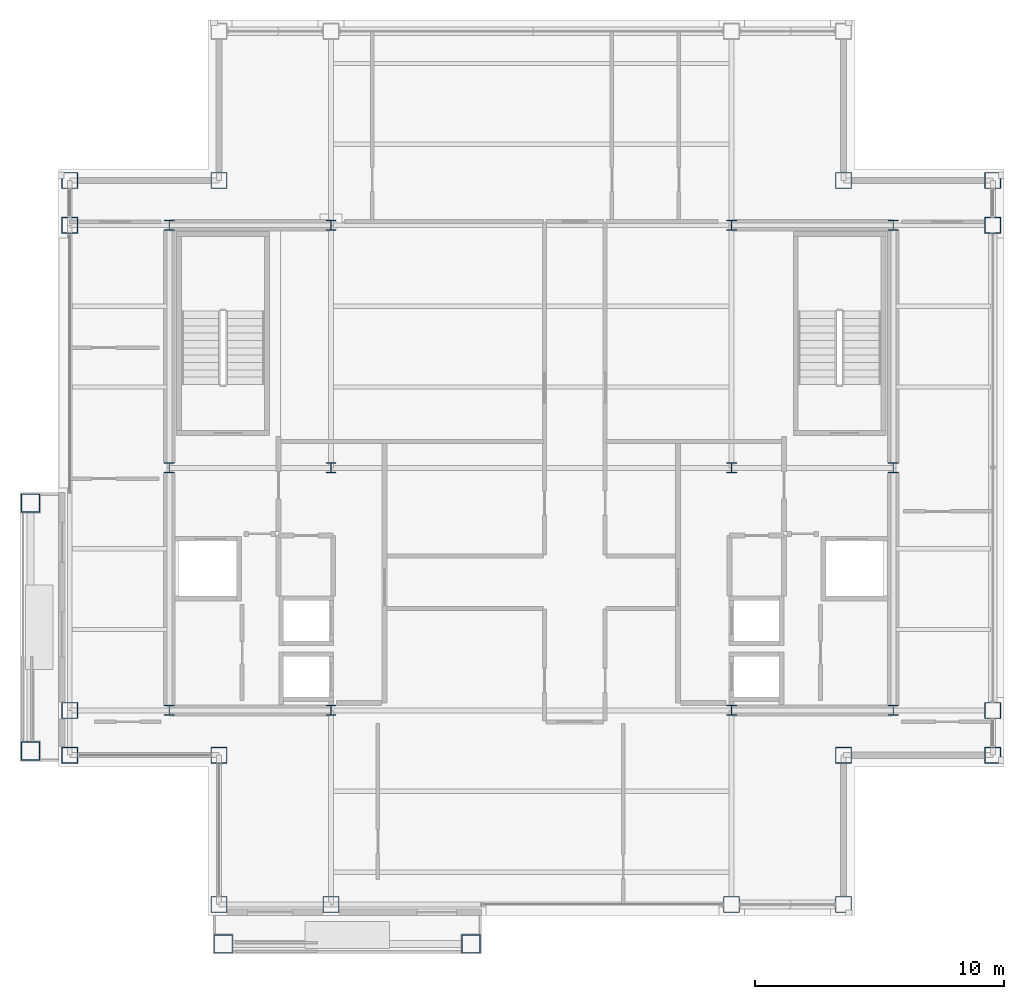
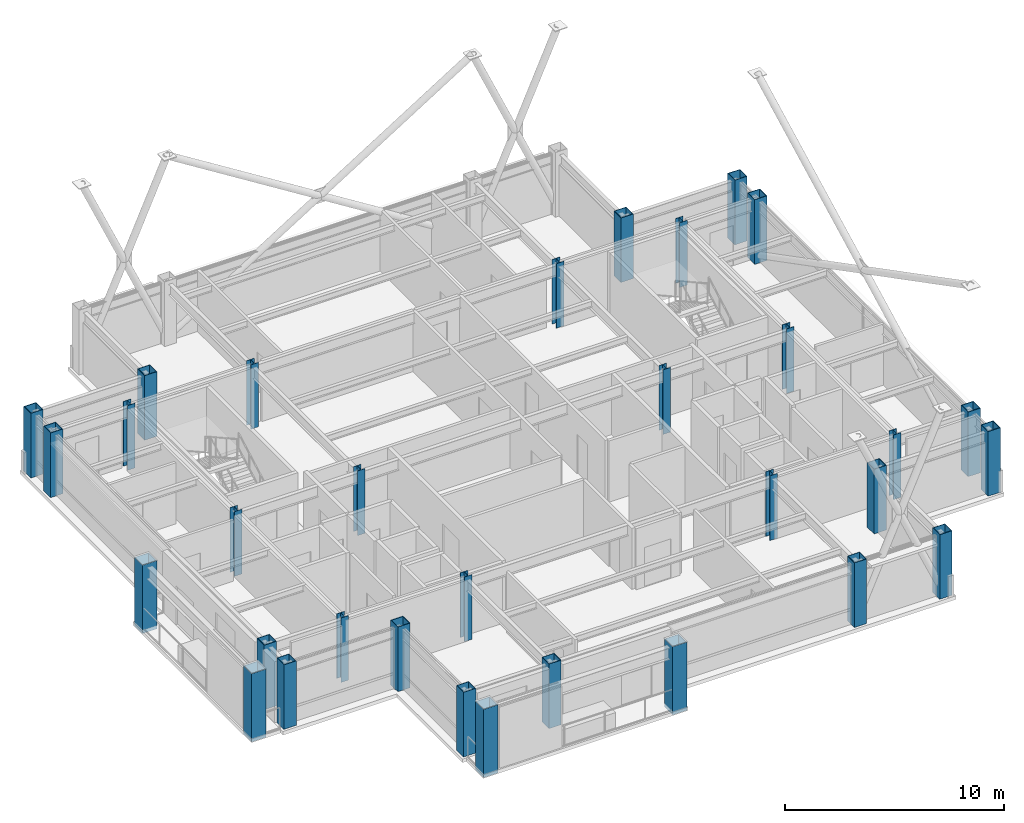
# One storey, part 1 of 26: 32 columns.
"""IFC4 building model written with IfcOpenShell, lengths in metres."""

from ifc_helpers import new_model, si_unit, direction, frame, origin, origin_2d, place, context, subcontext, project, spatial, hollow_rectangle, i_section, extrude, material, material_profile, profile_set, type_object, element, save


model = new_model("IFC4")

# Units and contexts
model_context = context("Model", 3, precision=1e-05, world=origin(), true_north=direction((0.0, 1.0)))
body_context = subcontext(model_context, "Body", "Model", "MODEL_VIEW")
ifc_project = project(units=[si_unit("LENGTHUNIT", "METRE"), si_unit("AREAUNIT", "SQUARE_METRE"), si_unit("VOLUMEUNIT", "CUBIC_METRE"), si_unit("PLANEANGLEUNIT", "RADIAN"), si_unit("MASSUNIT", "GRAM", prefix="KILO")], contexts=[model_context])

# Site, building, storey
site_placement = place(None, origin())
site = spatial("IfcSite", under=ifc_project, at=site_placement, CompositionType="ELEMENT")
building_placement = place(site_placement, origin())
building = spatial("IfcBuilding", under=site, at=building_placement, Name="Brelmoor Portico Tower", CompositionType="ELEMENT")
storey_placement = place(building_placement, frame((0.0, 0.0, 247.199951171875)))
storey = spatial("IfcBuildingStorey", under=building, at=storey_placement, Name="L65", CompositionType="ELEMENT", Elevation=247.199951171875)

# Columns
ifc_material = material(Name="Steel Q355B", Category="steel")
ifc_material_profile_1 = material_profile(ifc_material, hollow_rectangle(XDim=0.64990234375, YDim=0.64990234375, WallThickness=0.028076171875, at=origin_2d()), Name="BOX 650x650x28")
ifc_profile_set_1 = profile_set([ifc_material_profile_1], Name="Steel Q355B")
column_type_1 = type_object("IfcColumnType", Name="COL-MEGA-650", PredefinedType="COLUMN", material=ifc_profile_set_1)
for number, where, z_axis, x_axis, name in (
    (1, (-12.550048828125, -17.550048828125, 0.0), (0.0, 0.0, 1.0), (1.0, 0.0, 0.0), "L65 Perimeter Mega-Column PS01"),
    (2, (-8.050048828125, -17.550048828125, 0.0), (0.0, 0.0, 1.0), (1.0, 0.0, 0.0), "L65 Perimeter Mega-Column PS02"),
    (3, (8.050048828125, -17.550048828125, 0.0), (0.0, 0.0, 1.0), (1.0, 0.0, 0.0), "L65 Perimeter Mega-Column PS03"),
    (4, (12.550048828125, -17.550048828125, 0.0), (0.0, 0.0, 1.0), (1.0, 0.0, 0.0), "L65 Perimeter Mega-Column PS04"),
    (5, (-18.550048828125, -11.550048828125, 0.0), (0.0, 0.0, 1.0), (0.0, 1.0, 0.0), "L65 Perimeter Mega-Column PW01"),
    (6, (-18.550048828125, -9.75, 0.0), (0.0, 0.0, 1.0), (0.0, 1.0, 0.0), "L65 Perimeter Mega-Column PW02"),
    (7, (-18.550048828125, 9.75, 0.0), (0.0, 0.0, 1.0), (0.0, 1.0, 0.0), "L65 Perimeter Mega-Column PW03"),
    (8, (-18.550048828125, 11.550048828125, 0.0), (0.0, 0.0, 1.0), (0.0, 1.0, 0.0), "L65 Perimeter Mega-Column PW04"),
    (9, (18.550048828125, -11.550048828125, 0.0), (0.0, 0.0, 1.0), (0.0, 1.0, 0.0), "L65 Perimeter Mega-Column PE01"),
    (10, (18.550048828125, -9.75, 0.0), (0.0, 0.0, 1.0), (0.0, 1.0, 0.0), "L65 Perimeter Mega-Column PE02"),
    (11, (18.550048828125, 9.75, 0.0), (0.0, 0.0, 1.0), (0.0, 1.0, 0.0), "L65 Perimeter Mega-Column PE03"),
    (12, (18.550048828125, 11.550048828125, 0.0), (0.0, 0.0, 1.0), (0.0, 1.0, 0.0), "L65 Perimeter Mega-Column PE04"),
    (13, (-12.550048828125, 11.550048828125, 0.0), (0.0, 0.0, 1.0), (1.0, 0.0, 0.0), "L65 Perimeter Mega-Column PC-NW"),
    (14, (12.550048828125, 11.550048828125, 0.0), (0.0, 0.0, 1.0), (1.0, 0.0, 0.0), "L65 Perimeter Mega-Column PC-NE"),
    (15, (12.550048828125, -11.550048828125, 0.0), (0.0, 0.0, 1.0), (1.0, 0.0, 0.0), "L65 Perimeter Mega-Column PC-SE"),
    (16, (-12.550048828125, -11.550048828125, 0.0), (0.0, 0.0, 1.0), (1.0, 0.0, 0.0), "L65 Perimeter Mega-Column PC-SW"),
):
    element("IfcColumn", number, at=place(storey_placement, frame(where, z_axis=z_axis, x_axis=x_axis)), inside=storey, type_object=column_type_1, Name=name, PredefinedType="COLUMN", context=body_context, shape_type="SweptSolid", body=[
        extrude(hollow_rectangle(XDim=0.64990234375, YDim=0.64990234375, WallThickness=0.028076171875, at=origin_2d()), origin(), (0.0, 0.0, 1.0), 3.60009765625),
    ])
ifc_material_profile_2 = material_profile(ifc_material, hollow_rectangle(XDim=0.75, YDim=0.75, WallThickness=0.031982421875, at=origin_2d()), Name="BOX 750x750x32")
ifc_profile_set_2 = profile_set([ifc_material_profile_2], Name="Steel Q355B")
column_type_2 = type_object("IfcColumnType", Name="COL-MEGA-750", PredefinedType="COLUMN", material=ifc_profile_set_2)
for number, where, z_axis, x_axis, name in (
    (17, (-12.3798828125, -19.1298828125, -0.199951171875), (0.0, 0.0, 1.0), (1.0, 0.0, 0.0), "L65 Proud Picture-Frame Pier PFJ-S1"),
    (18, (-2.419921875, -19.1298828125, -0.199951171875), (0.0, 0.0, 1.0), (1.0, 0.0, 0.0), "L65 Proud Picture-Frame Pier PFJ-S2"),
    (19, (-20.1298828125, -11.3798828125, -0.199951171875), (0.0, 0.0, 1.0), (0.0, 1.0, 0.0), "L65 Proud Picture-Frame Pier PFJ-W1"),
    (20, (-20.1298828125, -1.419921875, -0.199951171875), (0.0, 0.0, 1.0), (0.0, 1.0, 0.0), "L65 Proud Picture-Frame Pier PFJ-W2"),
):
    element("IfcColumn", number, at=place(storey_placement, frame(where, z_axis=z_axis, x_axis=x_axis)), inside=storey, type_object=column_type_2, Name=name, PredefinedType="COLUMN", context=body_context, shape_type="SweptSolid", body=[
        extrude(hollow_rectangle(XDim=0.75, YDim=0.75, WallThickness=0.031982421875, at=origin_2d()), origin(), (0.0, 0.0, 1.0), 3.800048828125),
    ])
ifc_material_profile_3 = material_profile(ifc_material, i_section(OverallWidth=0.39990234375, OverallDepth=0.39990234375, WebThickness=0.012939453125, FlangeThickness=0.02099609375, at=origin_2d()), Name="HW 400x400x13x21")
ifc_profile_set_3 = profile_set([ifc_material_profile_3], Name="Steel Q355B")
column_type_3 = type_object("IfcColumnType", Name="COL-SPINE-400", PredefinedType="COLUMN", material=ifc_profile_set_3)
for number, where, z_axis, x_axis, name in (
    (21, (-14.550048828125, -9.75, 0.0), (0.0, 0.0, 1.0), (1.0, 0.0, 0.0), "L65 Core Spine Column CW-SW"),
    (22, (-14.550048828125, 0.0, 0.0), (0.0, 0.0, 1.0), (1.0, 0.0, 0.0), "L65 Core Spine Column CW-MW"),
    (23, (-14.550048828125, 9.75, 0.0), (0.0, 0.0, 1.0), (1.0, 0.0, 0.0), "L65 Core Spine Column CW-NW"),
    (24, (-8.050048828125, -9.75, 0.0), (0.0, 0.0, 1.0), (1.0, 0.0, 0.0), "L65 Core Spine Column CW-SE"),
    (25, (-8.050048828125, 0.0, 0.0), (0.0, 0.0, 1.0), (1.0, 0.0, 0.0), "L65 Core Spine Column CW-ME"),
    (26, (-8.050048828125, 9.75, 0.0), (0.0, 0.0, 1.0), (1.0, 0.0, 0.0), "L65 Core Spine Column CW-NE"),
    (27, (8.050048828125, -9.75, 0.0), (0.0, 0.0, 1.0), (1.0, 0.0, 0.0), "L65 Core Spine Column CE-SW"),
    (28, (8.050048828125, 0.0, 0.0), (0.0, 0.0, 1.0), (1.0, 0.0, 0.0), "L65 Core Spine Column CE-MW"),
    (29, (8.050048828125, 9.75, 0.0), (0.0, 0.0, 1.0), (1.0, 0.0, 0.0), "L65 Core Spine Column CE-NW"),
    (30, (14.550048828125, -9.75, 0.0), (0.0, 0.0, 1.0), (1.0, 0.0, 0.0), "L65 Core Spine Column CE-SE"),
    (31, (14.550048828125, 0.0, 0.0), (0.0, 0.0, 1.0), (1.0, 0.0, 0.0), "L65 Core Spine Column CE-ME"),
    (32, (14.550048828125, 9.75, 0.0), (0.0, 0.0, 1.0), (1.0, 0.0, 0.0), "L65 Core Spine Column CE-NE"),
):
    element("IfcColumn", number, at=place(storey_placement, frame(where, z_axis=z_axis, x_axis=x_axis)), inside=storey, type_object=column_type_3, Name=name, PredefinedType="COLUMN", context=body_context, shape_type="SweptSolid", body=[
        extrude(i_section(OverallWidth=0.39990234375, OverallDepth=0.39990234375, WebThickness=0.012939453125, FlangeThickness=0.02099609375, at=origin_2d()), origin(), (0.0, 0.0, 1.0), 3.60009765625),
    ])

save(model, "model.ifc")
